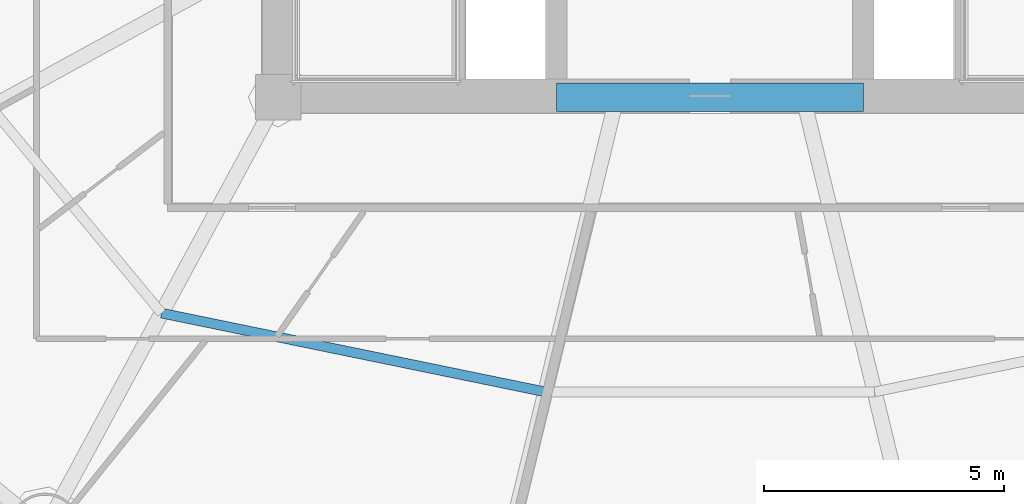
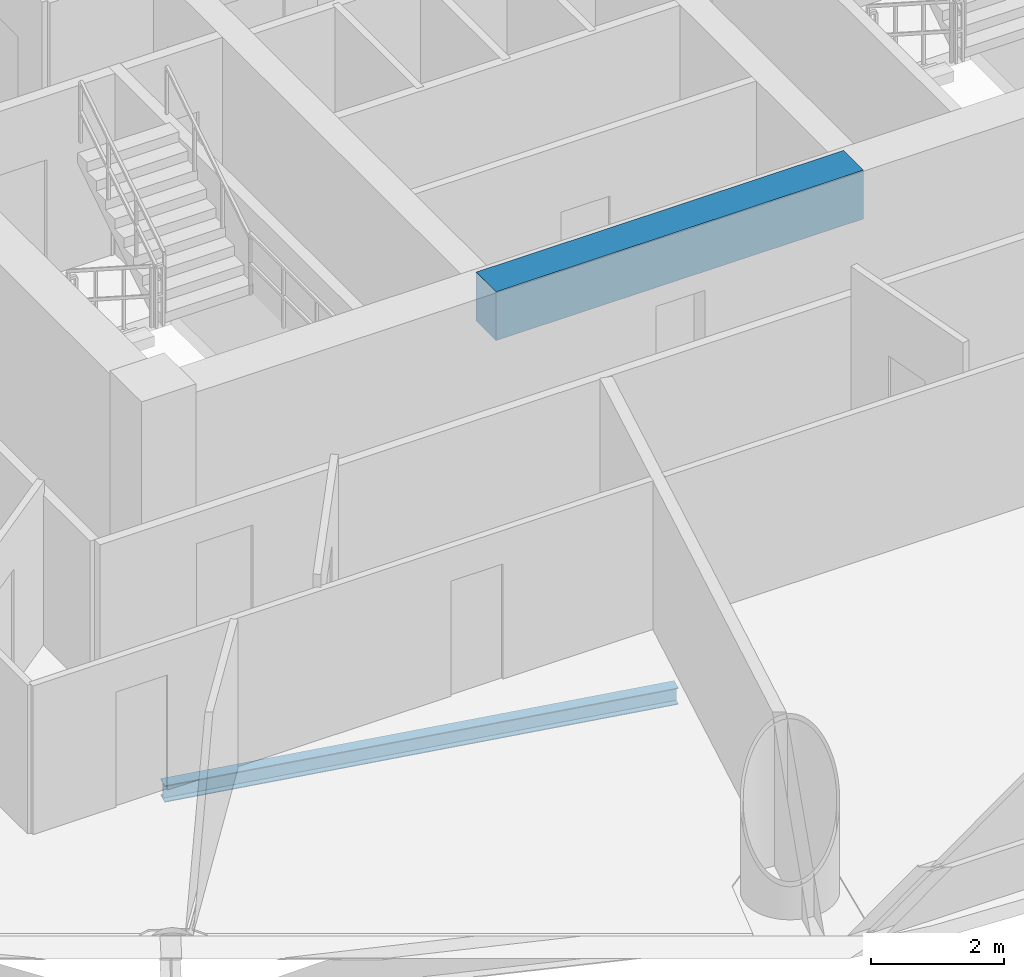
# One storey, part 6 of 29: 2 beams.
"""IFC4 building model written with IfcOpenShell, lengths in metres."""

from ifc_helpers import new_model, si_unit, direction, frame, origin, origin_2d, place, context, subcontext, project, spatial, rectangle, i_section, extrude, material, material_profile, profile_set, type_object, element, save


model = new_model("IFC4")

# Units and contexts
model_context = context("Model", 3, precision=1e-05, world=origin(), true_north=direction((-0.2419218956, 0.970295726276)))
body_context = subcontext(model_context, "Body", "Model", "MODEL_VIEW")
ifc_project = project(units=[si_unit("LENGTHUNIT", "METRE"), si_unit("AREAUNIT", "SQUARE_METRE"), si_unit("VOLUMEUNIT", "CUBIC_METRE"), si_unit("PLANEANGLEUNIT", "RADIAN"), si_unit("MASSUNIT", "GRAM", prefix="KILO")], contexts=[model_context])

# Site, building, storey
site_placement = place(None, origin())
site = spatial("IfcSite", under=ifc_project, at=site_placement, CompositionType="ELEMENT")
building_placement = place(site_placement, origin())
building = spatial("IfcBuilding", under=site, at=building_placement, Name="Cobrevalo Terracotta Tower", CompositionType="ELEMENT")
storey_placement = place(building_placement, frame((0.0, 0.0, 94.199951171875)))
storey = spatial("IfcBuildingStorey", under=building, at=storey_placement, Name="L24", CompositionType="ELEMENT", Elevation=94.199951171875)

# Beams
ifc_material_1 = material(Name="Concrete C60", Category="concrete")
ifc_material_profile_1 = material_profile(ifc_material_1, rectangle(XDim=0.60009765625, YDim=0.89990234375, at=origin_2d()), Name="RC CB 600x900")
ifc_profile_set_1 = profile_set([ifc_material_profile_1], Name="Concrete C60")
beam_type_1 = type_object("IfcBeamType", Name="Structural Beam RC CB 600x900 (Concrete C60)", PredefinedType="BEAM", material=ifc_profile_set_1)
beam_1_placement = place(storey_placement, frame((34.800048828125, 18.800048828125, 2.875), z_axis=(1.0, 0.0, 0.0), x_axis=(0.0, 1.0, 0.0)))
element("IfcBeam", 1, at=beam_1_placement, inside=storey, type_object=beam_type_1, Name="L24 core coupling beam 1", PredefinedType="BEAM", context=body_context, shape_type="SweptSolid", body=[
    extrude(rectangle(XDim=0.60009765625, YDim=0.89990234375, at=origin_2d()), origin(), (0.0, 0.0, 1.0), 6.39990234375),
])
ifc_material_2 = material(Name="Steel S355", Category="steel")
ifc_material_profile_2 = material_profile(ifc_material_2, i_section(OverallWidth=0.2041015625, OverallDepth=0.305908203125, WebThickness=0.008544921875, FlangeThickness=0.0146484375, at=origin_2d()), Name="W 310x67")
ifc_profile_set_2 = profile_set([ifc_material_profile_2], Name="Steel S355")
beam_type_2 = type_object("IfcBeamType", Name="Structural Joist W 310x67 (Steel S355)", PredefinedType="JOIST", material=ifc_profile_set_2)
beam_2_placement = place(storey_placement, frame((26.5693359375, 14.29833984375, -0.427978515625), z_axis=(0.979574469315, -0.201081722357, 0.0), x_axis=(0.201081722357, 0.979574469315, 0.0)))
element("IfcBeam", 2, at=beam_2_placement, inside=storey, type_object=beam_type_2, Name="L24 circumferential secondary floor joist 11", PredefinedType="JOIST", context=body_context, shape_type="SweptSolid", body=[
    extrude(i_section(OverallWidth=0.2041015625, OverallDepth=0.305908203125, WebThickness=0.008544921875, FlangeThickness=0.0146484375, at=origin_2d()), origin(), (0.0, 0.0, 1.0), 8.1650390625),
])

save(model, "model.ifc")
